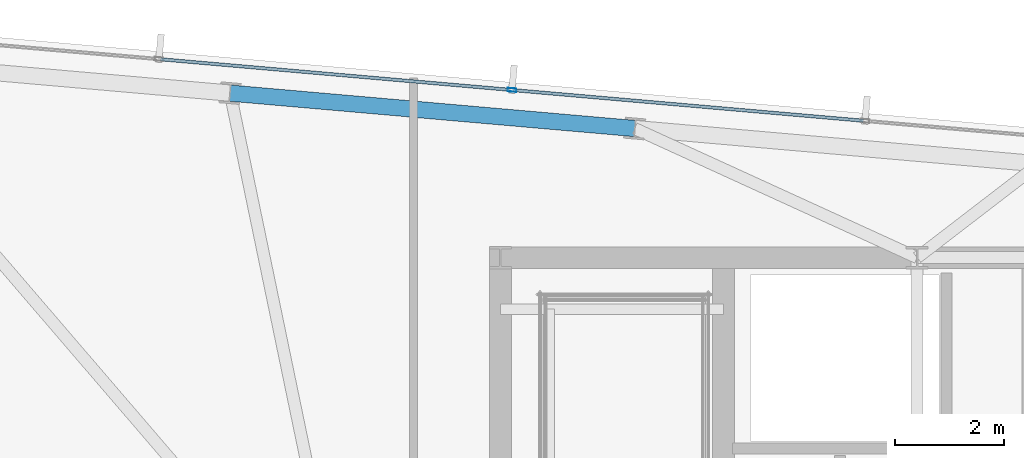
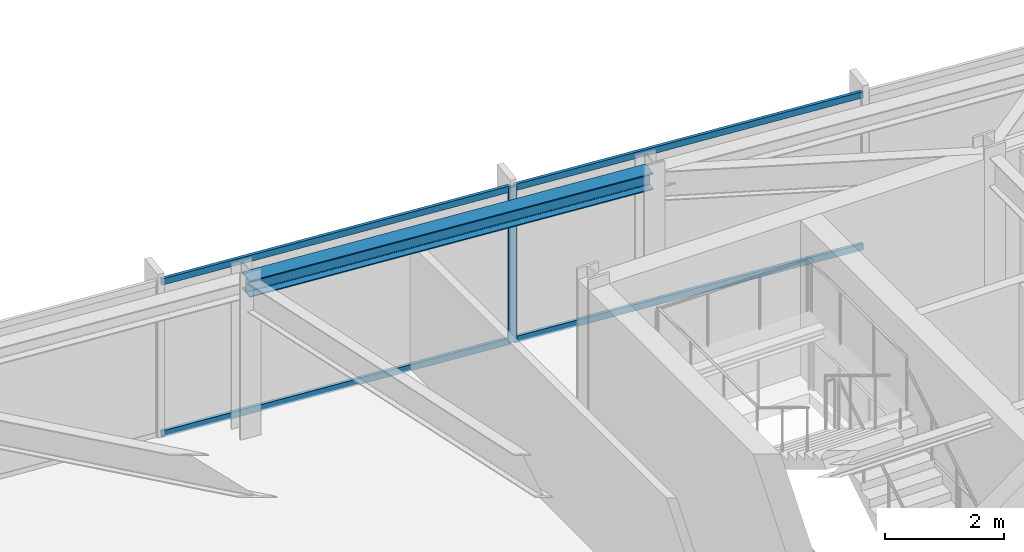
# One storey, part 24 of 33: 5 members, 1 beam, 1 element without a shape of its own.
"""IFC4 building model written with IfcOpenShell, lengths in metres."""

from ifc_helpers import new_model, si_unit, direction, frame, origin, origin_2d, place, context, subcontext, project, spatial, hollow_rectangle, i_section, extrude, material, material_profile, profile_set, type_object, element, aggregate, save


model = new_model("IFC4")

# Units and contexts
model_context = context("Model", 3, precision=1e-05, world=origin(), true_north=direction((0.0, 1.0)))
body_context = subcontext(model_context, "Body", "Model", "MODEL_VIEW")
ifc_project = project(units=[si_unit("LENGTHUNIT", "METRE"), si_unit("AREAUNIT", "SQUARE_METRE"), si_unit("VOLUMEUNIT", "CUBIC_METRE"), si_unit("PLANEANGLEUNIT", "RADIAN"), si_unit("MASSUNIT", "GRAM", prefix="KILO")], contexts=[model_context])

# Site, building, storey
site_placement = place(None, origin())
site = spatial("IfcSite", under=ifc_project, at=site_placement, CompositionType="ELEMENT")
building_placement = place(site_placement, origin())
building = spatial("IfcBuilding", under=site, at=building_placement, Name="Yelkora Congress Tower", CompositionType="ELEMENT")
storey_placement = place(building_placement, frame((0.0, 0.0, 286.300048828125)))
storey = spatial("IfcBuildingStorey", under=building, at=storey_placement, Name="L80", CompositionType="ELEMENT", Elevation=286.300048828125)

# Beam
ifc_material_1 = material(Name="Steel S355J2", Category="steel")
ifc_material_profile_1 = material_profile(ifc_material_1, i_section(OverallWidth=0.300048828125, OverallDepth=0.340087890625, WebThickness=0.011962890625, FlangeThickness=0.021484375, FilletRadius=0.027099609375, at=origin_2d()), Name="HEB 340")
ifc_profile_set_1 = profile_set([ifc_material_profile_1], Name="Steel S355J2")
beam_type = type_object("IfcBeamType", Name="BM-SPAN-HEB340", PredefinedType="SPANDREL", material=ifc_profile_set_1)
beam_placement = place(storey_placement, frame((25.513916015625, 48.57958984375, 3.010009765625), z_axis=(-0.996196266663, 0.087137812034, 0.0), x_axis=(-0.087137812034, -0.996196266663, 0.0)))
element("IfcBeam", 1, at=beam_placement, inside=storey, type_object=beam_type, Name="L80 Perimeter Beam 11", PredefinedType="SPANDREL", context=body_context, shape_type="SweptSolid", body=[
    extrude(i_section(OverallWidth=0.300048828125, OverallDepth=0.340087890625, WebThickness=0.011962890625, FlangeThickness=0.021484375, FilletRadius=0.027099609375, at=origin_2d()), origin(), (0.0, 0.0, 1.0), 7.483642578125),
])

# Curtain wall, members
ifc_material_2 = material(Name="Anodised aluminium and insulated glass", Category="aluminium")
curtain_wall_type = type_object("IfcCurtainWallType", Name="CW-SYS-B5", PredefinedType="NOTDEFINED", material=ifc_material_2)
curtain_wall_placement = place(storey_placement, origin())
curtain_wall = element("IfcCurtainWall", 2, at=curtain_wall_placement, inside=storey, type_object=curtain_wall_type, Name="L80 Unitised Curtain Wall 10", PredefinedType="NOTDEFINED")
ifc_material_3 = material(Name="Anodised aluminium 6063-T6", Category="aluminium")
ifc_material_profile_2 = material_profile(ifc_material_3, hollow_rectangle(XDim=0.06494140625, YDim=0.159912109375, WallThickness=0.00390625, at=origin_2d()), Name="ALU 65x160x4")
ifc_profile_set_2 = profile_set([ifc_material_profile_2], Name="Anodised aluminium 6063-T6")
member_type_1 = type_object("IfcMemberType", Name="MEM-ML-B5", PredefinedType="MULLION", material=ifc_profile_set_2)
member_1_placement = place(storey_placement, frame((23.253173828125, 49.289306640625, 0.0), z_axis=(0.0, 0.0, 1.0), x_axis=(0.087156639893, 0.996194619601, 0.0)))
member_1 = element("IfcMember", 3, at=member_1_placement, type_object=member_type_1, Name="CW-B5 mullion 3", PredefinedType="MULLION", context=body_context, shape_type="SweptSolid", body=[
    extrude(hollow_rectangle(XDim=0.06494140625, YDim=0.159912109375, WallThickness=0.00390625, at=origin_2d()), origin(), (0.0, 0.0, 1.0), 3.179931640625),
])
ifc_material_profile_3 = material_profile(ifc_material_3, hollow_rectangle(XDim=0.06005859375, YDim=0.1298828125, WallThickness=0.00390625, at=origin_2d()), Name="ALU 60x130x4")
ifc_profile_set_3 = profile_set([ifc_material_profile_3], Name="Anodised aluminium 6063-T6")
member_type_2 = type_object("IfcMemberType", Name="MEM-TR-B5", PredefinedType="USERDEFINED", material=ifc_profile_set_3)
member_2_placement = place(storey_placement, frame((16.779052734375, 49.855712890625, 0.030029296875), z_axis=(0.996195971174, -0.087141190126, 0.0), x_axis=(0.087141190126, 0.996195971174, 0.0)))
member_2 = element("IfcMember", 4, at=member_2_placement, type_object=member_type_2, Name="CW-B5 transom 2.1", ObjectType="TRANSOM", PredefinedType="USERDEFINED", context=body_context, shape_type="SweptSolid", body=[
    extrude(hollow_rectangle(XDim=0.06005859375, YDim=0.1298828125, WallThickness=0.00390625, at=origin_2d()), origin(), (0.0, 0.0, 1.0), 6.46630859375),
])
member_3_placement = place(storey_placement, frame((16.779052734375, 49.855712890625, 3.14990234375), z_axis=(0.996195971174, -0.087141190126, 0.0), x_axis=(0.087141190126, 0.996195971174, 0.0)))
member_3 = element("IfcMember", 5, at=member_3_placement, type_object=member_type_2, Name="CW-B5 transom 2.2", ObjectType="TRANSOM", PredefinedType="USERDEFINED", context=body_context, shape_type="SweptSolid", body=[
    extrude(hollow_rectangle(XDim=0.06005859375, YDim=0.1298828125, WallThickness=0.00390625, at=origin_2d()), origin(), (0.0, 0.0, 1.0), 6.46630859375),
])
member_4_placement = place(storey_placement, frame((23.285400390625, 49.286376953125, 0.030029296875), z_axis=(0.996196257862, -0.087137912649, 0.0), x_axis=(0.087137912649, 0.996196257862, 0.0)))
member_4 = element("IfcMember", 6, at=member_4_placement, type_object=member_type_2, Name="CW-B5 transom 3.1", ObjectType="TRANSOM", PredefinedType="USERDEFINED", context=body_context, shape_type="SweptSolid", body=[
    extrude(hollow_rectangle(XDim=0.06005859375, YDim=0.1298828125, WallThickness=0.00390625, at=origin_2d()), origin(), (0.0, 0.0, 1.0), 6.466552734375),
])
member_5_placement = place(storey_placement, frame((23.285400390625, 49.286376953125, 3.14990234375), z_axis=(0.996196257862, -0.087137912649, 0.0), x_axis=(0.087137912649, 0.996196257862, 0.0)))
member_5 = element("IfcMember", 7, at=member_5_placement, type_object=member_type_2, Name="CW-B5 transom 3.2", ObjectType="TRANSOM", PredefinedType="USERDEFINED", context=body_context, shape_type="SweptSolid", body=[
    extrude(hollow_rectangle(XDim=0.06005859375, YDim=0.1298828125, WallThickness=0.00390625, at=origin_2d()), origin(), (0.0, 0.0, 1.0), 6.466552734375),
])
aggregate(curtain_wall, [member_1, member_2, member_3, member_4, member_5])

save(model, "model.ifc")
